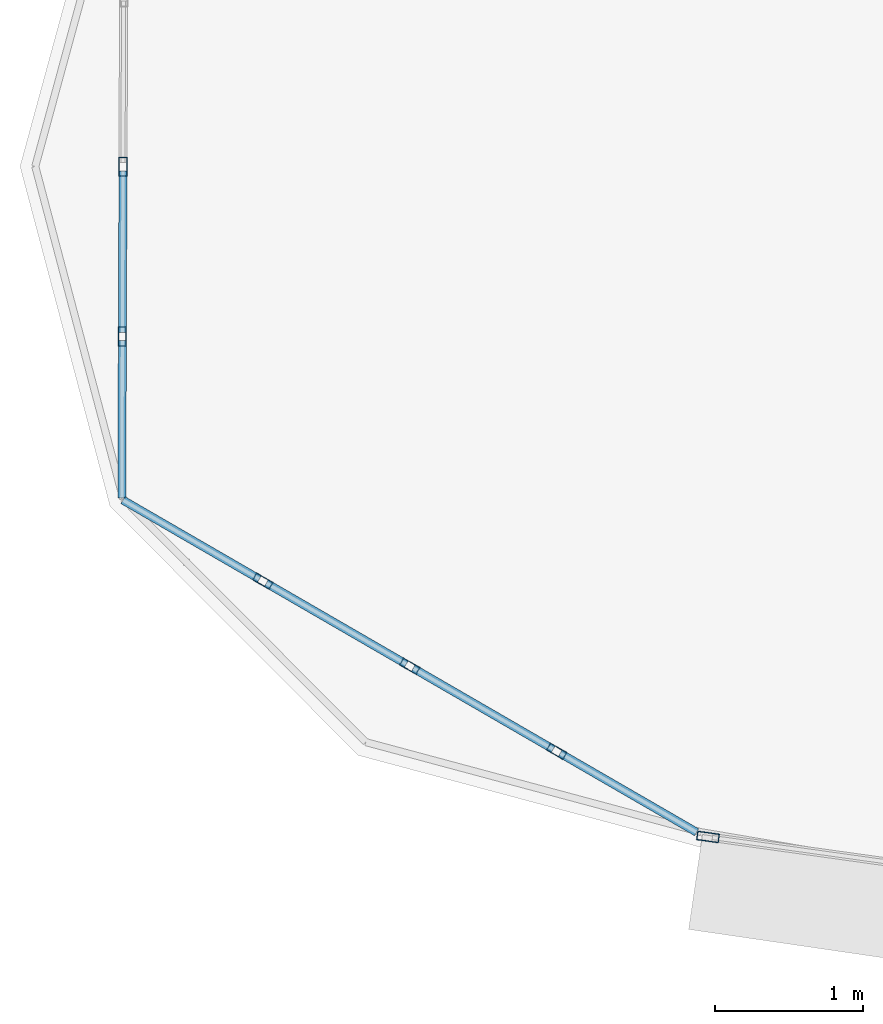
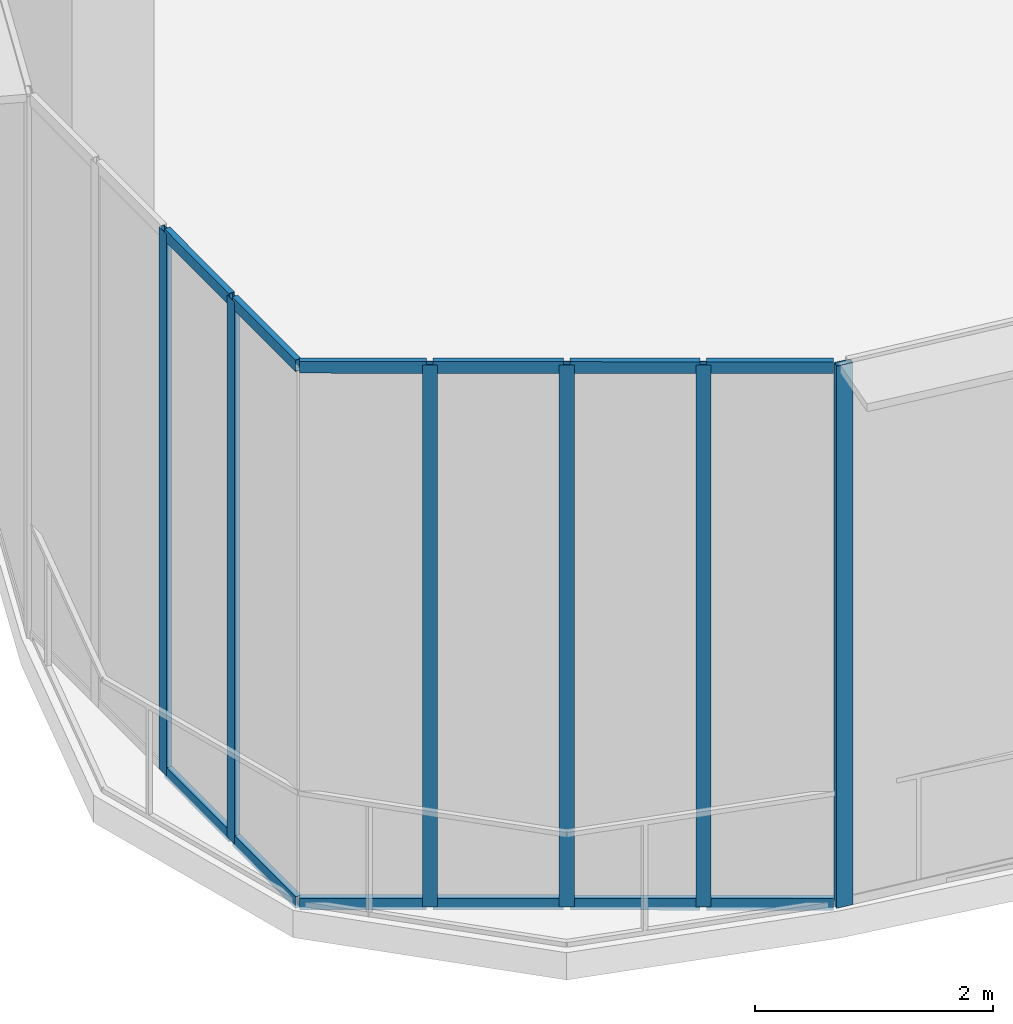
# One storey, part 2 of 38: 18 members, 3 elements without a shape of their own.
"""IFC4 building model written with IfcOpenShell, lengths in metres."""

from ifc_helpers import new_model, si_unit, direction, frame, origin, origin_2d, place, context, subcontext, project, spatial, hollow_rectangle, extrude, source, transform, mapped, material, layer, layer_set, material_profile, profile_set, type_object, element, aggregate, save


model = new_model("IFC4")

# Units and contexts
model_context = context("Model", 3, precision=1e-05, world=origin(), true_north=direction((0.0, 1.0)))
body_context = subcontext(model_context, "Body", "Model", "MODEL_VIEW")
ifc_project = project(units=[si_unit("LENGTHUNIT", "METRE"), si_unit("AREAUNIT", "SQUARE_METRE"), si_unit("VOLUMEUNIT", "CUBIC_METRE"), si_unit("PLANEANGLEUNIT", "RADIAN"), si_unit("MASSUNIT", "GRAM", prefix="KILO"), si_unit("THERMODYNAMICTEMPERATUREUNIT", "KELVIN"), si_unit("POWERUNIT", "WATT")], contexts=[model_context])

# Site, building, storey
site_placement = place(None, origin())
site = spatial("IfcSite", under=ifc_project, at=site_placement, CompositionType="ELEMENT")
building_placement = place(site_placement, origin())
building = spatial("IfcBuilding", under=site, at=building_placement, Name="Yunzhuo Pagoda Commons", CompositionType="ELEMENT")
storey_placement = place(building_placement, frame((0.0, 0.0, 218.9599609375)))
storey = spatial("IfcBuildingStorey", under=building, at=storey_placement, Name="L55", CompositionType="ELEMENT", Elevation=218.9599609375)

# Curtain wall, member
ifc_material = material(Name="Anodized aluminium 6063-T6", Category="aluminium")
ifc_layer_1 = layer(ifc_material, 0.14990234375)
ifc_layer_set_1 = layer_set([ifc_layer_1], Name="Anodized aluminium 6063-T6")
curtain_wall_type_1 = type_object("IfcCurtainWallType", Name="CW-MID Mid-Zone Ribbon Curtain Wall", PredefinedType="NOTDEFINED", material=ifc_layer_set_1)
curtain_wall_1_placement = place(storey_placement, origin())
curtain_wall_1 = element("IfcCurtainWall", 1, at=curtain_wall_1_placement, inside=storey, type_object=curtain_wall_type_1, Name="L55 curtain wall CW-L55-F1B1", PredefinedType="NOTDEFINED")
ifc_material_profile_1 = material_profile(ifc_material, hollow_rectangle(XDim=0.06005859375, YDim=0.14990234375, WallThickness=0.00390625, at=origin_2d()), Name="Anodized aluminium 6063-T6")
ifc_profile_set_1 = profile_set([ifc_material_profile_1], Name="Anodized aluminium 6063-T6")
member_type_1 = type_object("IfcMemberType", Name="CW-MID-M Mullion RHS 150x60x4", PredefinedType="MULLION", material=ifc_profile_set_1)
shared_shape_1 = source(origin(), body_context, "Body", "SweptSolid", [
    extrude(hollow_rectangle(XDim=0.06005859375, YDim=0.14990234375, WallThickness=0.00390625, at=origin_2d()), origin(), (0.0, 0.0, 1.0), 5.570068359375),
])
member_1_placement = place(storey_placement, frame((14.84912109375, 18.177734375, 0.0), z_axis=(0.0, 0.0, 1.0), x_axis=(0.138332060232, 0.990385905146, 0.0)))
member_1 = element("IfcMember", 2, at=member_1_placement, type_object=member_type_1, Name="CW mullion 1", PredefinedType="MULLION", context=body_context, shape_type="MappedRepresentation", body=[
    mapped(shared_shape_1, transform((0.0, 0.0, 0.0), scale=1.0)),
])
aggregate(curtain_wall_1, [member_1])

# Curtain wall, members
ifc_layer_2 = layer(ifc_material, 0.1298828125)
ifc_layer_set_2 = layer_set([ifc_layer_2], Name="Anodized aluminium 6063-T6")
curtain_wall_type_2 = type_object("IfcCurtainWallType", Name="CW-VTX Rounded Corner Curtain Wall", PredefinedType="NOTDEFINED", material=ifc_layer_set_2)
curtain_wall_2_placement = place(storey_placement, origin())
curtain_wall_2 = element("IfcCurtainWall", 3, at=curtain_wall_2_placement, inside=storey, type_object=curtain_wall_type_2, Name="L55 curtain wall CW-L55-VTX1S1", PredefinedType="NOTDEFINED")
ifc_material_profile_2 = material_profile(ifc_material, hollow_rectangle(XDim=0.054931640625, YDim=0.1298828125, WallThickness=0.00341796875, at=origin_2d()), Name="Anodized aluminium 6063-T6")
ifc_profile_set_2 = profile_set([ifc_material_profile_2], Name="Anodized aluminium 6063-T6")
member_type_2 = type_object("IfcMemberType", Name="CW-VTX-M Mullion RHS 130x55x3.5", PredefinedType="MULLION", material=ifc_profile_set_2)
shared_shape_2 = source(origin(), body_context, "Body", "SweptSolid", [
    extrude(hollow_rectangle(XDim=0.054931640625, YDim=0.1298828125, WallThickness=0.00341796875, at=origin_2d()), origin(), (0.0, 0.0, 1.0), 5.570068359375),
])
member_2_placement = place(storey_placement, frame((10.883056640625, 22.72119140625, 0.0), z_axis=(0.0, 0.0, 1.0), x_axis=(0.999993578107, -0.003583817119, 0.0)))
member_2 = element("IfcMember", 4, at=member_2_placement, type_object=member_type_2, Name="CW mullion 3", PredefinedType="MULLION", context=body_context, shape_type="MappedRepresentation", body=[
    mapped(shared_shape_2, transform((0.0, 0.0, 0.0), scale=1.0)),
])
member_3_placement = place(storey_placement, frame((10.87890625, 21.570068359375, 0.0), z_axis=(0.0, 0.0, 1.0), x_axis=(0.999993578107, -0.003583817119, 0.0)))
member_3 = element("IfcMember", 5, at=member_3_placement, type_object=member_type_2, Name="CW mullion 4", PredefinedType="MULLION", context=body_context, shape_type="MappedRepresentation", body=[
    mapped(shared_shape_2, transform((0.0, 0.0, 0.0), scale=1.0)),
])

curtain_wall_3_placement = place(storey_placement, origin())
curtain_wall_3 = element("IfcCurtainWall", 6, at=curtain_wall_3_placement, inside=storey, type_object=curtain_wall_type_2, Name="L55 curtain wall CW-L55-VTX1S2", PredefinedType="NOTDEFINED")
member_4_placement = place(storey_placement, frame((11.8310546875, 19.911865234375, 0.0), z_axis=(0.0, 0.0, 1.0), x_axis=(0.501026852291, 0.865431738084, 0.0)))
member_4 = element("IfcMember", 7, at=member_4_placement, type_object=member_type_2, Name="CW mullion 2", PredefinedType="MULLION", context=body_context, shape_type="MappedRepresentation", body=[
    mapped(shared_shape_2, transform((0.0, 0.0, 0.0), scale=1.0)),
])
member_5_placement = place(storey_placement, frame((12.8271484375, 19.335205078125, 0.0), z_axis=(0.0, 0.0, 1.0), x_axis=(0.501026852291, 0.865431738084, 0.0)))
member_5 = element("IfcMember", 8, at=member_5_placement, type_object=member_type_2, Name="CW mullion 3", PredefinedType="MULLION", context=body_context, shape_type="MappedRepresentation", body=[
    mapped(shared_shape_2, transform((0.0, 0.0, 0.0), scale=1.0)),
])
member_6_placement = place(storey_placement, frame((13.8232421875, 18.758544921875, 0.0), z_axis=(0.0, 0.0, 1.0), x_axis=(0.501026852291, 0.865431738084, 0.0)))
member_6 = element("IfcMember", 9, at=member_6_placement, type_object=member_type_2, Name="CW mullion 4", PredefinedType="MULLION", context=body_context, shape_type="MappedRepresentation", body=[
    mapped(shared_shape_2, transform((0.0, 0.0, 0.0), scale=1.0)),
])
ifc_material_profile_3 = material_profile(ifc_material, hollow_rectangle(XDim=0.054931640625, YDim=0.1201171875, WallThickness=0.00341796875, at=origin_2d()), Name="Anodized aluminium 6063-T6")
ifc_profile_set_3 = profile_set([ifc_material_profile_3], Name="Anodized aluminium 6063-T6")
member_type_3 = type_object("IfcMemberType", Name="CW-VTX-T Transom RHS 120x55x3.5", PredefinedType="USERDEFINED", material=ifc_profile_set_3)
shared_shape_3 = source(origin(), body_context, "Body", "SweptSolid", [
    extrude(hollow_rectangle(XDim=0.054931640625, YDim=0.1201171875, WallThickness=0.00341796875, at=origin_2d()), origin(), (0.0, 0.0, 1.0), 1.068359375),
])
member_7_placement = place(storey_placement, frame((10.882568359375, 20.461181640625, 0.027587890625), z_axis=(0.865374130801, -0.501126345087, 0.0), x_axis=(0.501126345087, 0.865374130801, 0.0)))
member_7 = element("IfcMember", 10, at=member_7_placement, type_object=member_type_3, Name="CW transom 1.1", ObjectType="TRANSOM", PredefinedType="USERDEFINED", context=body_context, shape_type="MappedRepresentation", body=[
    mapped(shared_shape_3, transform((0.0, 0.0, 0.0), scale=1.0)),
])
member_8_placement = place(storey_placement, frame((10.882568359375, 20.461181640625, 5.54248046875), z_axis=(0.865374130801, -0.501126345087, 0.0), x_axis=(0.501126345087, 0.865374130801, 0.0)))
member_8 = element("IfcMember", 11, at=member_8_placement, type_object=member_type_3, Name="CW transom 1.2", ObjectType="TRANSOM", PredefinedType="USERDEFINED", context=body_context, shape_type="MappedRepresentation", body=[
    mapped(shared_shape_3, transform((0.0, 0.0, 0.0), scale=1.0)),
])
shared_shape_4 = source(origin(), body_context, "Body", "SweptSolid", [
    extrude(hollow_rectangle(XDim=0.054931640625, YDim=0.1201171875, WallThickness=0.00341796875, at=origin_2d()), origin(), (0.0, 0.0, 1.0), 1.095947265625),
])
member_9_placement = place(storey_placement, frame((11.854736328125, 19.898193359375, 0.027587890625), z_axis=(0.86544662027, -0.501001145171, 0.0), x_axis=(0.501001145171, 0.86544662027, 0.0)))
member_9 = element("IfcMember", 12, at=member_9_placement, type_object=member_type_3, Name="CW transom 2.1", ObjectType="TRANSOM", PredefinedType="USERDEFINED", context=body_context, shape_type="MappedRepresentation", body=[
    mapped(shared_shape_4, transform((0.0, 0.0, 0.0), scale=1.0)),
])
member_10_placement = place(storey_placement, frame((11.854736328125, 19.898193359375, 5.54248046875), z_axis=(0.86544662027, -0.501001145171, 0.0), x_axis=(0.501001145171, 0.86544662027, 0.0)))
member_10 = element("IfcMember", 13, at=member_10_placement, type_object=member_type_3, Name="CW transom 2.2", ObjectType="TRANSOM", PredefinedType="USERDEFINED", context=body_context, shape_type="MappedRepresentation", body=[
    mapped(shared_shape_4, transform((0.0, 0.0, 0.0), scale=1.0)),
])
member_11_placement = place(storey_placement, frame((12.850830078125, 19.321533203125, 0.027587890625), z_axis=(0.86544662027, -0.501001145171, 0.0), x_axis=(0.501001145171, 0.86544662027, 0.0)))
member_11 = element("IfcMember", 14, at=member_11_placement, type_object=member_type_3, Name="CW transom 3.1", ObjectType="TRANSOM", PredefinedType="USERDEFINED", context=body_context, shape_type="MappedRepresentation", body=[
    mapped(shared_shape_4, transform((0.0, 0.0, 0.0), scale=1.0)),
])
member_12_placement = place(storey_placement, frame((12.850830078125, 19.321533203125, 5.54248046875), z_axis=(0.86544662027, -0.501001145171, 0.0), x_axis=(0.501001145171, 0.86544662027, 0.0)))
member_12 = element("IfcMember", 15, at=member_12_placement, type_object=member_type_3, Name="CW transom 3.2", ObjectType="TRANSOM", PredefinedType="USERDEFINED", context=body_context, shape_type="MappedRepresentation", body=[
    mapped(shared_shape_4, transform((0.0, 0.0, 0.0), scale=1.0)),
])

# Member
shared_shape_5 = source(origin(), body_context, "Body", "SweptSolid", [
    extrude(hollow_rectangle(XDim=0.054931640625, YDim=0.1201171875, WallThickness=0.00341796875, at=origin_2d()), origin(), (0.0, 0.0, 1.0), 1.09619140625),
])
member_13_placement = place(storey_placement, frame((10.883056640625, 22.69384765625, 0.027587890625), z_axis=(-0.003786164399, -0.999992832454, 0.0), x_axis=(0.999992832454, -0.003786164399, 0.0)))
member_13 = element("IfcMember", 16, at=member_13_placement, type_object=member_type_3, Name="CW transom 3.1", ObjectType="TRANSOM", PredefinedType="USERDEFINED", context=body_context, shape_type="MappedRepresentation", body=[
    mapped(shared_shape_5, transform((0.0, 0.0, 0.0), scale=1.0)),
])

member_14_placement = place(storey_placement, frame((10.883056640625, 22.69384765625, 5.54248046875), z_axis=(-0.003786164399, -0.999992832454, 0.0), x_axis=(0.999992832454, -0.003786164399, 0.0)))
member_14 = element("IfcMember", 17, at=member_14_placement, type_object=member_type_3, Name="CW transom 3.2", ObjectType="TRANSOM", PredefinedType="USERDEFINED", context=body_context, shape_type="MappedRepresentation", body=[
    mapped(shared_shape_5, transform((0.0, 0.0, 0.0), scale=1.0)),
])

shared_shape_6 = source(origin(), body_context, "Body", "SweptSolid", [
    extrude(hollow_rectangle(XDim=0.054931640625, YDim=0.1201171875, WallThickness=0.00341796875, at=origin_2d()), origin(), (0.0, 0.0, 1.0), 1.068603515625),
])
member_15_placement = place(storey_placement, frame((10.87890625, 21.542724609375, 0.027587890625), z_axis=(-0.003655447361, -0.99999331883, 0.0), x_axis=(0.99999331883, -0.003655447361, 0.0)))
member_15 = element("IfcMember", 18, at=member_15_placement, type_object=member_type_3, Name="CW transom 4.1", ObjectType="TRANSOM", PredefinedType="USERDEFINED", context=body_context, shape_type="MappedRepresentation", body=[
    mapped(shared_shape_6, transform((0.0, 0.0, 0.0), scale=1.0)),
])

member_16_placement = place(storey_placement, frame((10.87890625, 21.542724609375, 5.54248046875), z_axis=(-0.003655447361, -0.99999331883, 0.0), x_axis=(0.99999331883, -0.003655447361, 0.0)))
member_16 = element("IfcMember", 19, at=member_16_placement, type_object=member_type_3, Name="CW transom 4.2", ObjectType="TRANSOM", PredefinedType="USERDEFINED", context=body_context, shape_type="MappedRepresentation", body=[
    mapped(shared_shape_6, transform((0.0, 0.0, 0.0), scale=1.0)),
])

aggregate(curtain_wall_2, [member_2, member_3, member_13, member_14, member_15, member_16])

shared_shape_7 = source(origin(), body_context, "Body", "SweptSolid", [
    extrude(hollow_rectangle(XDim=0.054931640625, YDim=0.1201171875, WallThickness=0.00341796875, at=origin_2d()), origin(), (0.0, 0.0, 1.0), 1.06884765625),
])
member_17_placement = place(storey_placement, frame((13.846923828125, 18.744873046875, 0.027587890625), z_axis=(0.865488833985, -0.500928216661, 0.0), x_axis=(0.500928216661, 0.865488833985, 0.0)))
member_17 = element("IfcMember", 20, at=member_17_placement, type_object=member_type_3, Name="CW transom 4.1", ObjectType="TRANSOM", PredefinedType="USERDEFINED", context=body_context, shape_type="MappedRepresentation", body=[
    mapped(shared_shape_7, transform((0.0, 0.0, 0.0), scale=1.0)),
])

member_18_placement = place(storey_placement, frame((13.846923828125, 18.744873046875, 5.54248046875), z_axis=(0.865488833985, -0.500928216661, 0.0), x_axis=(0.500928216661, 0.865488833985, 0.0)))
member_18 = element("IfcMember", 21, at=member_18_placement, type_object=member_type_3, Name="CW transom 4.2", ObjectType="TRANSOM", PredefinedType="USERDEFINED", context=body_context, shape_type="MappedRepresentation", body=[
    mapped(shared_shape_7, transform((0.0, 0.0, 0.0), scale=1.0)),
])

aggregate(curtain_wall_3, [member_4, member_5, member_6, member_7, member_8, member_9, member_10, member_11, member_12, member_17, member_18])

save(model, "model.ifc")
